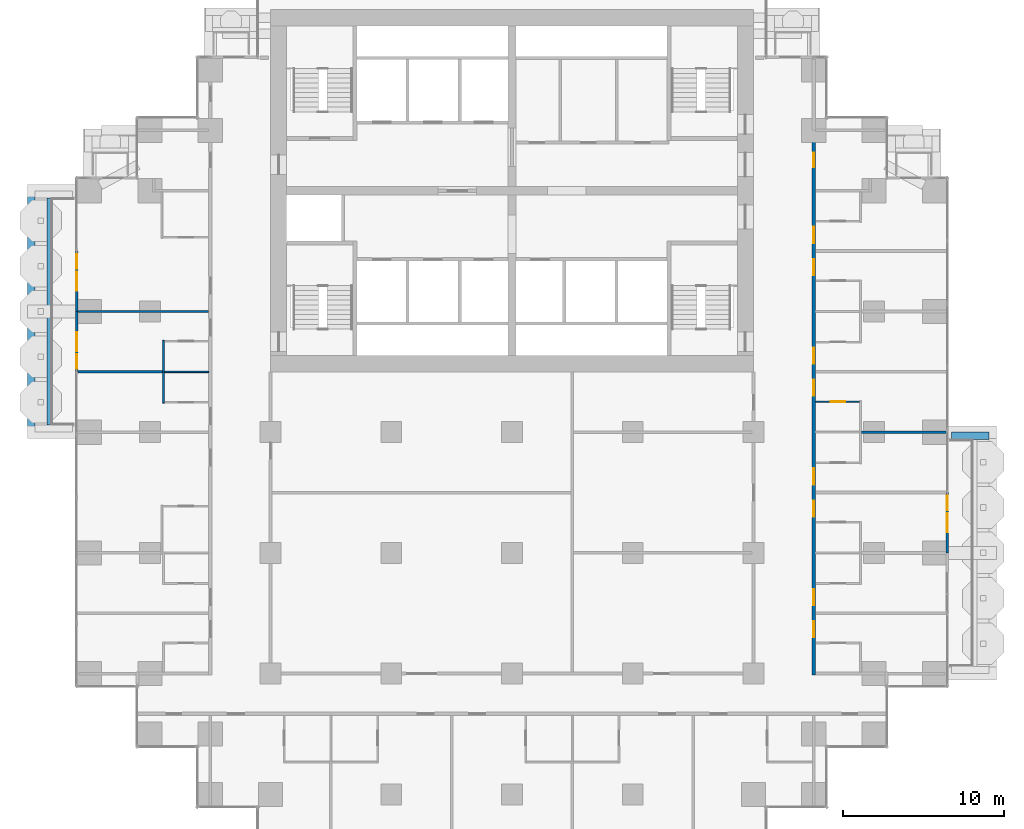
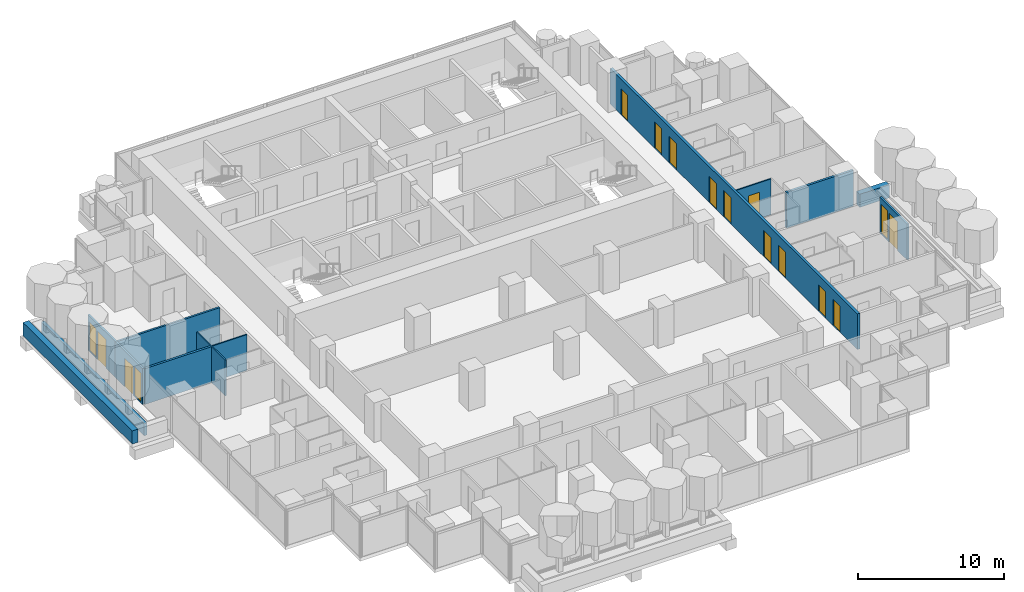
# One storey, part 12 of 18: 13 doors, 13 walls, 3 windows, 16 openings.
"""IFC4 building model written with IfcOpenShell, lengths in metres."""

from ifc_helpers import new_model, si_unit, direction, frame, frame_2d, origin, place, context, subcontext, project, spatial, rectangle, extrude, material, layer, layer_set, type_object, element, fill, save


model = new_model("IFC4")

# Units and contexts
model_context = context("Model", 3, precision=1e-05, world=origin(), true_north=direction((0.0, 1.0)))
body_context = subcontext(model_context, "Body", "Model", "MODEL_VIEW")
ifc_project = project(units=[si_unit("LENGTHUNIT", "METRE"), si_unit("AREAUNIT", "SQUARE_METRE"), si_unit("VOLUMEUNIT", "CUBIC_METRE"), si_unit("PLANEANGLEUNIT", "RADIAN"), si_unit("MASSUNIT", "GRAM", prefix="KILO")], contexts=[model_context])

# Site, building, storey
site_placement = place(None, origin())
site = spatial("IfcSite", under=ifc_project, at=site_placement, CompositionType="ELEMENT")
building_placement = place(site_placement, origin())
building = spatial("IfcBuilding", under=site, at=building_placement, Name="Pilkhan Gate Tower", CompositionType="ELEMENT")
storey_placement = place(building_placement, frame((0.0, 0.0, 82.39990234375)))
storey = spatial("IfcBuildingStorey", under=building, at=storey_placement, Name="L19", CompositionType="ELEMENT", Elevation=82.39990234375)

# Walls
ifc_material_1 = material(Name="Dense blockwork", Category="masonry")
ifc_layer_1 = layer(ifc_material_1, 0.175048828125)
ifc_layer_set_1 = layer_set([ifc_layer_1], Name="Acoustic party wall PW175")
wall_type_1 = type_object("IfcWallType", Name="Acoustic party wall PW175", PredefinedType="PARTITIONING", material=ifc_layer_set_1)
wall_1_placement = place(storey_placement, frame((96.699951171875, 67.5, 0.0), z_axis=(0.0, 0.0, 1.0), x_axis=(1.0, 0.0, 0.0)))
element("IfcWall", 1, at=wall_1_placement, inside=storey, type_object=wall_type_1, Name="Partition L19", PredefinedType="PARTITIONING", context=body_context, shape_type="SweptSolid", body=[
    extrude(rectangle(XDim=5.31494140625, YDim=0.175048828125, at=frame_2d((2.657470703125, 0.0))), origin(), (0.0, 0.0, 1.0), 3.0),
])
wall_2_placement = place(storey_placement, frame((48.0400390625, 71.25, 0.0), z_axis=(0.0, 0.0, 1.0), x_axis=(1.0, 0.0, 0.0)))
element("IfcWall", 2, at=wall_2_placement, inside=storey, type_object=wall_type_1, Name="Partition L19", PredefinedType="PARTITIONING", context=body_context, shape_type="SweptSolid", body=[
    extrude(rectangle(XDim=5.260009765625, YDim=0.175048828125, at=frame_2d((2.6298828125, 0.0))), origin(), (0.0, 0.0, 1.0), 3.0),
])
ifc_material_2 = material(Name="Concrete C40/50", Category="concrete")
ifc_layer_2 = layer(ifc_material_2, 0.25)
ifc_layer_set_2 = layer_set([ifc_layer_2], Name="Balcony planter BP250")
wall_type_2 = type_object("IfcWallType", Name="Balcony planter BP250", PredefinedType="USERDEFINED", material=ifc_layer_set_2)
wall_3_placement = place(storey_placement, frame((46.22509765625, 67.949951171875, 0.0), z_axis=(0.0, 0.0, 1.0), x_axis=(0.0, 1.0, 0.0)))
element("IfcWall", 3, at=wall_3_placement, inside=storey, type_object=wall_type_2, Name="Balcony planter L19 W", ObjectType="BALCONY PLANTER", PredefinedType="USERDEFINED", context=body_context, shape_type="SweptSolid", body=[
    extrude(rectangle(XDim=14.10009765625, YDim=0.25, at=frame_2d((7.050048828125, 0.0))), origin(), (0.0, 0.0, 1.0), 1.0),
])
ifc_material_3 = material(Name="Board-marked Concrete C40/50", Category="concrete")
ifc_layer_3 = layer(ifc_material_3, 0.449951171875)
ifc_layer_set_3 = layer_set([ifc_layer_3], Name="Balcony planter lip BL450")
wall_type_3 = type_object("IfcWallType", Name="Balcony planter lip BL450", PredefinedType="USERDEFINED", material=ifc_layer_set_3)
wall_4_placement = place(storey_placement, frame((102.300048828125, 67.27490234375, 0.0), z_axis=(0.0, 0.0, 1.0), x_axis=(1.0, 0.0, 0.0)))
element("IfcWall", 4, at=wall_4_placement, inside=storey, type_object=wall_type_3, Name="Balcony planter L19 E", ObjectType="BALCONY PLANTER", PredefinedType="USERDEFINED", context=body_context, shape_type="SweptSolid", body=[
    extrude(rectangle(XDim=2.349853515625, YDim=0.449951171875, at=frame_2d((1.1748046875, 0.0))), origin(), (0.0, 0.0, 1.0), 1.10009765625),
])
wall_5_placement = place(storey_placement, frame((45.125, 67.5, 0.0), z_axis=(0.0, 0.0, 1.0), x_axis=(0.0, 1.0, 0.0)))
element("IfcWall", 5, at=wall_5_placement, inside=storey, type_object=wall_type_3, Name="Balcony planter L19 W", ObjectType="BALCONY PLANTER", PredefinedType="USERDEFINED", context=body_context, shape_type="SweptSolid", body=[
    extrude(rectangle(XDim=15.0, YDim=0.449951171875, at=frame_2d((7.5, 0.0))), origin(), (0.0, 0.0, 1.0), 1.10009765625),
])

# Wall, openings, doors
ifc_layer_4 = layer(ifc_material_1, 0.199951171875)
ifc_layer_set_4 = layer_set([ifc_layer_4], Name="Corridor wall FW200")
wall_type_4 = type_object("IfcWallType", Name="Corridor wall FW200", PredefinedType="PARTITIONING", material=ifc_layer_set_4)
wall_6_placement = place(storey_placement, frame((93.75, 52.39990234375, 0.0), z_axis=(0.0, 0.0, 1.0), x_axis=(0.0, 1.0, 0.0)))
wall_6 = element("IfcWall", 6, at=wall_6_placement, inside=storey, type_object=wall_type_4, Name="Partition L19", PredefinedType="PARTITIONING", context=body_context, shape_type="SweptSolid", body=[
    extrude(rectangle(XDim=33.925048828125, YDim=0.199951171875, at=frame_2d((16.96240234375, 0.0))), origin(), (0.0, 0.0, 1.0), 3.0),
])
opening_1_placement = place(wall_6_placement, frame((2.35009765625, 0.0, 0.0)))
opening_1 = element("IfcOpeningElement", 7, at=opening_1_placement, cuts=wall_6, Name="Opening L19-28", PredefinedType="OPENING", context=body_context, shape_type="SweptSolid", body=[
    extrude(rectangle(XDim=1.0, YDim=2.199951171875, at=frame_2d((0.5, 1.10009765625))), frame((0.0, 0.10986328125, 0.0), z_axis=(0.0, -1.0, 0.0), x_axis=(1.0, 0.0, 0.0)), (0.0, 0.0, 1.0), 0.219970703125),
])
opening_2_placement = place(wall_6_placement, frame((4.35009765625, 0.0, 0.0)))
opening_2 = element("IfcOpeningElement", 8, at=opening_2_placement, cuts=wall_6, Name="Opening L19-30", PredefinedType="OPENING", context=body_context, shape_type="SweptSolid", body=[
    extrude(rectangle(XDim=1.0, YDim=2.199951171875, at=frame_2d((0.5, 1.10009765625))), frame((0.0, 0.10986328125, 0.0), z_axis=(0.0, -1.0, 0.0), x_axis=(1.0, 0.0, 0.0)), (0.0, 0.0, 1.0), 0.219970703125),
])
opening_3_placement = place(wall_6_placement, frame((9.85009765625, 0.0, 0.0)))
opening_3 = element("IfcOpeningElement", 9, at=opening_3_placement, cuts=wall_6, Name="Opening L19-32", PredefinedType="OPENING", context=body_context, shape_type="SweptSolid", body=[
    extrude(rectangle(XDim=1.0, YDim=2.199951171875, at=frame_2d((0.5, 1.10009765625))), frame((0.0, 0.10986328125, 0.0), z_axis=(0.0, -1.0, 0.0), x_axis=(1.0, 0.0, 0.0)), (0.0, 0.0, 1.0), 0.219970703125),
])
opening_4_placement = place(wall_6_placement, frame((11.85009765625, 0.0, 0.0)))
opening_4 = element("IfcOpeningElement", 10, at=opening_4_placement, cuts=wall_6, Name="Opening L19-34", PredefinedType="OPENING", context=body_context, shape_type="SweptSolid", body=[
    extrude(rectangle(XDim=1.0, YDim=2.199951171875, at=frame_2d((0.5, 1.10009765625))), frame((0.0, 0.10986328125, 0.0), z_axis=(0.0, -1.0, 0.0), x_axis=(1.0, 0.0, 0.0)), (0.0, 0.0, 1.0), 0.219970703125),
])
opening_5_placement = place(wall_6_placement, frame((17.35009765625, 0.0, 0.0)))
opening_5 = element("IfcOpeningElement", 11, at=opening_5_placement, cuts=wall_6, Name="Opening L19-36", PredefinedType="OPENING", context=body_context, shape_type="SweptSolid", body=[
    extrude(rectangle(XDim=1.0, YDim=2.199951171875, at=frame_2d((0.5, 1.10009765625))), frame((0.0, 0.10986328125, 0.0), z_axis=(0.0, -1.0, 0.0), x_axis=(1.0, 0.0, 0.0)), (0.0, 0.0, 1.0), 0.219970703125),
])
opening_6_placement = place(wall_6_placement, frame((19.35009765625, 0.0, 0.0)))
opening_6 = element("IfcOpeningElement", 12, at=opening_6_placement, cuts=wall_6, Name="Opening L19-38", PredefinedType="OPENING", context=body_context, shape_type="SweptSolid", body=[
    extrude(rectangle(XDim=1.0, YDim=2.199951171875, at=frame_2d((0.5, 1.10009765625))), frame((0.0, 0.10986328125, 0.0), z_axis=(0.0, -1.0, 0.0), x_axis=(1.0, 0.0, 0.0)), (0.0, 0.0, 1.0), 0.219970703125),
])
opening_7_placement = place(wall_6_placement, frame((24.85009765625, 0.0, 0.0)))
opening_7 = element("IfcOpeningElement", 13, at=opening_7_placement, cuts=wall_6, Name="Opening L19-40", PredefinedType="OPENING", context=body_context, shape_type="SweptSolid", body=[
    extrude(rectangle(XDim=1.0, YDim=2.199951171875, at=frame_2d((0.5, 1.10009765625))), frame((0.0, 0.10986328125, 0.0), z_axis=(0.0, -1.0, 0.0), x_axis=(1.0, 0.0, 0.0)), (0.0, 0.0, 1.0), 0.219970703125),
])
opening_8_placement = place(wall_6_placement, frame((26.85009765625, 0.0, 0.0)))
opening_8 = element("IfcOpeningElement", 14, at=opening_8_placement, cuts=wall_6, Name="Opening L19-42", PredefinedType="OPENING", context=body_context, shape_type="SweptSolid", body=[
    extrude(rectangle(XDim=1.0, YDim=2.199951171875, at=frame_2d((0.5, 1.10009765625))), frame((0.0, 0.10986328125, 0.0), z_axis=(0.0, -1.0, 0.0), x_axis=(1.0, 0.0, 0.0)), (0.0, 0.0, 1.0), 0.219970703125),
])
opening_9_placement = place(wall_6_placement, frame((31.550048828125, 0.0, 0.0)))
opening_9 = element("IfcOpeningElement", 15, at=opening_9_placement, cuts=wall_6, Name="Opening L19-54", PredefinedType="OPENING", context=body_context, shape_type="SweptSolid", body=[
    extrude(rectangle(XDim=0.89990234375, YDim=2.199951171875, at=frame_2d((0.449951171875, 1.10009765625))), frame((0.0, 0.10986328125, 0.0), z_axis=(0.0, -1.0, 0.0), x_axis=(1.0, 0.0, 0.0)), (0.0, 0.0, 1.0), 0.219970703125),
])
ifc_material_4 = material(Name="Timber flush door, 30 minute fire resisting", Category="wood")
door_type_1 = type_object("IfcDoorType", Name="Guest room door D01 1000x2200", OperationType="SINGLE_SWING_LEFT", PredefinedType="DOOR", material=ifc_material_4)
door_1_placement = place(opening_1_placement, origin())
door_1 = element("IfcDoor", 16, at=door_1_placement, inside=storey, type_object=door_type_1, Name="Guest room door", OperationType="SINGLE_SWING_LEFT", OverallHeight=2.199951171875, OverallWidth=1.0, PredefinedType="DOOR", context=body_context, shape_type="SweptSolid", body=[
    extrude(rectangle(XDim=1.0, YDim=2.199951171875, at=frame_2d((0.5, 1.10009765625))), frame((0.0, 0.02490234375, 0.0), z_axis=(0.0, -1.0, 0.0), x_axis=(1.0, 0.0, 0.0)), (0.0, 0.0, 1.0), 0.050048828125),
])
fill(opening_1, door_1)
door_2_placement = place(opening_2_placement, origin())
door_2 = element("IfcDoor", 17, at=door_2_placement, inside=storey, type_object=door_type_1, Name="Guest room door", OperationType="SINGLE_SWING_LEFT", OverallHeight=2.199951171875, OverallWidth=1.0, PredefinedType="DOOR", context=body_context, shape_type="SweptSolid", body=[
    extrude(rectangle(XDim=1.0, YDim=2.199951171875, at=frame_2d((0.5, 1.10009765625))), frame((0.0, 0.02490234375, 0.0), z_axis=(0.0, -1.0, 0.0), x_axis=(1.0, 0.0, 0.0)), (0.0, 0.0, 1.0), 0.050048828125),
])
fill(opening_2, door_2)
door_3_placement = place(opening_3_placement, origin())
door_3 = element("IfcDoor", 18, at=door_3_placement, inside=storey, type_object=door_type_1, Name="Guest room door", OperationType="SINGLE_SWING_LEFT", OverallHeight=2.199951171875, OverallWidth=1.0, PredefinedType="DOOR", context=body_context, shape_type="SweptSolid", body=[
    extrude(rectangle(XDim=1.0, YDim=2.199951171875, at=frame_2d((0.5, 1.10009765625))), frame((0.0, 0.02490234375, 0.0), z_axis=(0.0, -1.0, 0.0), x_axis=(1.0, 0.0, 0.0)), (0.0, 0.0, 1.0), 0.050048828125),
])
fill(opening_3, door_3)
door_4_placement = place(opening_4_placement, origin())
door_4 = element("IfcDoor", 19, at=door_4_placement, inside=storey, type_object=door_type_1, Name="Guest room door", OperationType="SINGLE_SWING_LEFT", OverallHeight=2.199951171875, OverallWidth=1.0, PredefinedType="DOOR", context=body_context, shape_type="SweptSolid", body=[
    extrude(rectangle(XDim=1.0, YDim=2.199951171875, at=frame_2d((0.5, 1.10009765625))), frame((0.0, 0.02490234375, 0.0), z_axis=(0.0, -1.0, 0.0), x_axis=(1.0, 0.0, 0.0)), (0.0, 0.0, 1.0), 0.050048828125),
])
fill(opening_4, door_4)
door_5_placement = place(opening_5_placement, origin())
door_5 = element("IfcDoor", 20, at=door_5_placement, inside=storey, type_object=door_type_1, Name="Guest room door", OperationType="SINGLE_SWING_LEFT", OverallHeight=2.199951171875, OverallWidth=1.0, PredefinedType="DOOR", context=body_context, shape_type="SweptSolid", body=[
    extrude(rectangle(XDim=1.0, YDim=2.199951171875, at=frame_2d((0.5, 1.10009765625))), frame((0.0, 0.02490234375, 0.0), z_axis=(0.0, -1.0, 0.0), x_axis=(1.0, 0.0, 0.0)), (0.0, 0.0, 1.0), 0.050048828125),
])
fill(opening_5, door_5)
door_6_placement = place(opening_6_placement, origin())
door_6 = element("IfcDoor", 21, at=door_6_placement, inside=storey, type_object=door_type_1, Name="Guest room door", OperationType="SINGLE_SWING_RIGHT", OverallHeight=2.199951171875, OverallWidth=1.0, PredefinedType="DOOR", context=body_context, shape_type="SweptSolid", body=[
    extrude(rectangle(XDim=1.0, YDim=2.199951171875, at=frame_2d((0.5, 1.10009765625))), frame((0.0, 0.02490234375, 0.0), z_axis=(0.0, -1.0, 0.0), x_axis=(1.0, 0.0, 0.0)), (0.0, 0.0, 1.0), 0.050048828125),
])
fill(opening_6, door_6)
door_7_placement = place(opening_7_placement, origin())
door_7 = element("IfcDoor", 22, at=door_7_placement, inside=storey, type_object=door_type_1, Name="Guest room door", OperationType="SINGLE_SWING_LEFT", OverallHeight=2.199951171875, OverallWidth=1.0, PredefinedType="DOOR", context=body_context, shape_type="SweptSolid", body=[
    extrude(rectangle(XDim=1.0, YDim=2.199951171875, at=frame_2d((0.5, 1.10009765625))), frame((0.0, 0.02490234375, 0.0), z_axis=(0.0, -1.0, 0.0), x_axis=(1.0, 0.0, 0.0)), (0.0, 0.0, 1.0), 0.050048828125),
])
fill(opening_7, door_7)
door_8_placement = place(opening_8_placement, origin())
door_8 = element("IfcDoor", 23, at=door_8_placement, inside=storey, type_object=door_type_1, Name="Guest room door", OperationType="SINGLE_SWING_LEFT", OverallHeight=2.199951171875, OverallWidth=1.0, PredefinedType="DOOR", context=body_context, shape_type="SweptSolid", body=[
    extrude(rectangle(XDim=1.0, YDim=2.199951171875, at=frame_2d((0.5, 1.10009765625))), frame((0.0, 0.02490234375, 0.0), z_axis=(0.0, -1.0, 0.0), x_axis=(1.0, 0.0, 0.0)), (0.0, 0.0, 1.0), 0.050048828125),
])
fill(opening_8, door_8)
ifc_material_5 = material(Name="Timber flush door, 60 minute fire resisting, self-closing", Category="wood")
door_type_2 = type_object("IfcDoorType", Name="Store door D05 900x2200", OperationType="SINGLE_SWING_LEFT", PredefinedType="DOOR", material=ifc_material_5)
door_9_placement = place(opening_9_placement, origin())
door_9 = element("IfcDoor", 24, at=door_9_placement, inside=storey, type_object=door_type_2, Name="Store door", OperationType="SINGLE_SWING_RIGHT", OverallHeight=2.199951171875, OverallWidth=0.89990234375, PredefinedType="DOOR", context=body_context, shape_type="SweptSolid", body=[
    extrude(rectangle(XDim=0.89990234375, YDim=2.199951171875, at=frame_2d((0.449951171875, 1.10009765625))), frame((0.0, 0.02490234375, 0.0), z_axis=(0.0, -1.0, 0.0), x_axis=(1.0, 0.0, 0.0)), (0.0, 0.0, 1.0), 0.050048828125),
])
fill(opening_9, door_9)

# Wall, openings, door, window
ifc_material_6 = material(Name="Pale anodised aluminium, clear laminated glazing", Category="aluminium")
ifc_layer_5 = layer(ifc_material_6, 0.14990234375)
ifc_layer_set_5 = layer_set([ifc_layer_5], Name="Facade infill wall IW150")
wall_type_5 = type_object("IfcWallType", Name="Facade infill wall IW150", PredefinedType="SOLIDWALL", material=ifc_layer_set_5)
wall_7_placement = place(storey_placement, frame((102.044921875, 60.0, 0.0), z_axis=(0.0, 0.0, 1.0), x_axis=(0.0, 1.0, 0.0)))
wall_7 = element("IfcWall", 25, at=wall_7_placement, inside=storey, type_object=wall_type_5, Name="Infill wall L19 E", PredefinedType="SOLIDWALL", context=body_context, shape_type="SweptSolid", body=[
    extrude(rectangle(XDim=3.75, YDim=0.14990234375, at=frame_2d((1.875, 0.0))), origin(), (0.0, 0.0, 1.0), 3.0),
])
opening_10_placement = place(wall_7_placement, frame((1.27490234375, 0.0, 0.0)))
opening_10 = element("IfcOpeningElement", 26, at=opening_10_placement, cuts=wall_7, Name="Opening D1", PredefinedType="OPENING", context=body_context, shape_type="SweptSolid", body=[
    extrude(rectangle(XDim=1.199951171875, YDim=2.39990234375, at=frame_2d((0.60009765625, 1.199951171875))), frame((0.0, 0.0849609375, 0.0), z_axis=(0.0, -1.0, 0.0), x_axis=(1.0, 0.0, 0.0)), (0.0, 0.0, 1.0), 0.169921875),
])
opening_11_placement = place(wall_7_placement, frame((2.66259765625, 0.0, 0.10009765625)))
opening_11 = element("IfcOpeningElement", 27, at=opening_11_placement, cuts=wall_7, Name="Opening W1", PredefinedType="OPENING", context=body_context, shape_type="SweptSolid", body=[
    extrude(rectangle(XDim=0.89990234375, YDim=2.39990234375, at=frame_2d((0.449951171875, 1.199951171875))), frame((0.0, 0.0849609375, 0.0), z_axis=(0.0, -1.0, 0.0), x_axis=(1.0, 0.0, 0.0)), (0.0, 0.0, 1.0), 0.169921875),
])
ifc_material_7 = material(Name="Pale anodised aluminium, clear glazing", Category="aluminium")
door_type_3 = type_object("IfcDoorType", Name="Balcony door D1 1200x2400", OperationType="SINGLE_SWING_LEFT", PredefinedType="DOOR", material=ifc_material_7)
door_10_placement = place(opening_10_placement, origin())
door_10 = element("IfcDoor", 28, at=door_10_placement, inside=storey, type_object=door_type_3, Name="Balcony door L19", OperationType="SINGLE_SWING_LEFT", OverallHeight=2.39990234375, OverallWidth=1.199951171875, PredefinedType="DOOR", context=body_context, shape_type="SweptSolid", body=[
    extrude(rectangle(XDim=1.199951171875, YDim=2.39990234375, at=frame_2d((0.60009765625, 1.199951171875))), frame((0.0, 0.02490234375, 0.0), z_axis=(0.0, -1.0, 0.0), x_axis=(1.0, 0.0, 0.0)), (0.0, 0.0, 1.0), 0.050048828125),
])
fill(opening_10, door_10)
ifc_material_8 = material(Name="Pale anodised aluminium, clear double glazing", Category="aluminium")
window_type = type_object("IfcWindowType", Name="Window W1 900x2400", PartitioningType="SINGLE_PANEL", PredefinedType="WINDOW", material=ifc_material_8)
window_1_placement = place(opening_11_placement, origin())
window_1 = element("IfcWindow", 29, at=window_1_placement, inside=storey, type_object=window_type, Name="Window L19", OverallHeight=2.39990234375, OverallWidth=0.89990234375, PartitioningType="SINGLE_PANEL", PredefinedType="WINDOW", context=body_context, shape_type="SweptSolid", body=[
    extrude(rectangle(XDim=0.89990234375, YDim=2.39990234375, at=frame_2d((0.449951171875, 1.199951171875))), frame((0.0, 0.030029296875, 0.0), z_axis=(0.0, -1.0, 0.0), x_axis=(1.0, 0.0, 0.0)), (0.0, 0.0, 1.0), 0.06005859375),
])
fill(opening_11, window_1)

wall_8_placement = place(storey_placement, frame((47.955078125, 71.25, 0.0), z_axis=(0.0, 0.0, 1.0), x_axis=(0.0, 1.0, 0.0)))
wall_8 = element("IfcWall", 30, at=wall_8_placement, inside=storey, type_object=wall_type_5, Name="Infill wall L19 W", PredefinedType="SOLIDWALL", context=body_context, shape_type="SweptSolid", body=[
    extrude(rectangle(XDim=3.75, YDim=0.14990234375, at=frame_2d((1.875, 0.0))), origin(), (0.0, 0.0, 1.0), 3.0),
])
opening_12_placement = place(wall_8_placement, frame((0.1875, 0.0, 0.10009765625)))
opening_12 = element("IfcOpeningElement", 31, at=opening_12_placement, cuts=wall_8, Name="Opening W1", PredefinedType="OPENING", context=body_context, shape_type="SweptSolid", body=[
    extrude(rectangle(XDim=0.89990234375, YDim=2.39990234375, at=frame_2d((0.449951171875, 1.199951171875))), frame((0.0, 0.0849609375, 0.0), z_axis=(0.0, -1.0, 0.0), x_axis=(1.0, 0.0, 0.0)), (0.0, 0.0, 1.0), 0.169921875),
])
opening_13_placement = place(wall_8_placement, frame((1.27490234375, 0.0, 0.0)))
opening_13 = element("IfcOpeningElement", 32, at=opening_13_placement, cuts=wall_8, Name="Opening D1", PredefinedType="OPENING", context=body_context, shape_type="SweptSolid", body=[
    extrude(rectangle(XDim=1.199951171875, YDim=2.39990234375, at=frame_2d((0.60009765625, 1.199951171875))), frame((0.0, 0.0849609375, 0.0), z_axis=(0.0, -1.0, 0.0), x_axis=(1.0, 0.0, 0.0)), (0.0, 0.0, 1.0), 0.169921875),
])
door_11_placement = place(opening_13_placement, origin())
door_11 = element("IfcDoor", 33, at=door_11_placement, inside=storey, type_object=door_type_3, Name="Balcony door L19", OperationType="SINGLE_SWING_LEFT", OverallHeight=2.39990234375, OverallWidth=1.199951171875, PredefinedType="DOOR", context=body_context, shape_type="SweptSolid", body=[
    extrude(rectangle(XDim=1.199951171875, YDim=2.39990234375, at=frame_2d((0.60009765625, 1.199951171875))), frame((0.0, 0.02490234375, 0.0), z_axis=(0.0, -1.0, 0.0), x_axis=(1.0, 0.0, 0.0)), (0.0, 0.0, 1.0), 0.050048828125),
])
fill(opening_13, door_11)
window_2_placement = place(opening_12_placement, origin())
window_2 = element("IfcWindow", 34, at=window_2_placement, inside=storey, type_object=window_type, Name="Window L19", OverallHeight=2.39990234375, OverallWidth=0.89990234375, PartitioningType="SINGLE_PANEL", PredefinedType="WINDOW", context=body_context, shape_type="SweptSolid", body=[
    extrude(rectangle(XDim=0.89990234375, YDim=2.39990234375, at=frame_2d((0.449951171875, 1.199951171875))), frame((0.0, 0.030029296875, 0.0), z_axis=(0.0, -1.0, 0.0), x_axis=(1.0, 0.0, 0.0)), (0.0, 0.0, 1.0), 0.06005859375),
])
fill(opening_12, window_2)

wall_9_placement = place(storey_placement, frame((47.955078125, 75.0, 0.0), z_axis=(0.0, 0.0, 1.0), x_axis=(0.0, 1.0, 0.0)))
wall_9 = element("IfcWall", 35, at=wall_9_placement, inside=storey, type_object=wall_type_5, Name="Infill wall L19 W", PredefinedType="SOLIDWALL", context=body_context, shape_type="SweptSolid", body=[
    extrude(rectangle(XDim=3.75, YDim=0.14990234375, at=frame_2d((1.875, 0.0))), origin(), (0.0, 0.0, 1.0), 3.0),
])
opening_14_placement = place(wall_9_placement, frame((1.27490234375, 0.0, 0.0)))
opening_14 = element("IfcOpeningElement", 36, at=opening_14_placement, cuts=wall_9, Name="Opening D1", PredefinedType="OPENING", context=body_context, shape_type="SweptSolid", body=[
    extrude(rectangle(XDim=1.199951171875, YDim=2.39990234375, at=frame_2d((0.60009765625, 1.199951171875))), frame((0.0, 0.0849609375, 0.0), z_axis=(0.0, -1.0, 0.0), x_axis=(1.0, 0.0, 0.0)), (0.0, 0.0, 1.0), 0.169921875),
])
opening_15_placement = place(wall_9_placement, frame((2.66259765625, 0.0, 0.10009765625)))
opening_15 = element("IfcOpeningElement", 37, at=opening_15_placement, cuts=wall_9, Name="Opening W1", PredefinedType="OPENING", context=body_context, shape_type="SweptSolid", body=[
    extrude(rectangle(XDim=0.89990234375, YDim=2.39990234375, at=frame_2d((0.449951171875, 1.199951171875))), frame((0.0, 0.0849609375, 0.0), z_axis=(0.0, -1.0, 0.0), x_axis=(1.0, 0.0, 0.0)), (0.0, 0.0, 1.0), 0.169921875),
])
door_12_placement = place(opening_14_placement, origin())
door_12 = element("IfcDoor", 38, at=door_12_placement, inside=storey, type_object=door_type_3, Name="Balcony door L19", OperationType="SINGLE_SWING_LEFT", OverallHeight=2.39990234375, OverallWidth=1.199951171875, PredefinedType="DOOR", context=body_context, shape_type="SweptSolid", body=[
    extrude(rectangle(XDim=1.199951171875, YDim=2.39990234375, at=frame_2d((0.60009765625, 1.199951171875))), frame((0.0, 0.02490234375, 0.0), z_axis=(0.0, -1.0, 0.0), x_axis=(1.0, 0.0, 0.0)), (0.0, 0.0, 1.0), 0.050048828125),
])
fill(opening_14, door_12)
window_3_placement = place(opening_15_placement, origin())
window_3 = element("IfcWindow", 39, at=window_3_placement, inside=storey, type_object=window_type, Name="Window L19", OverallHeight=2.39990234375, OverallWidth=0.89990234375, PartitioningType="SINGLE_PANEL", PredefinedType="WINDOW", context=body_context, shape_type="SweptSolid", body=[
    extrude(rectangle(XDim=0.89990234375, YDim=2.39990234375, at=frame_2d((0.449951171875, 1.199951171875))), frame((0.0, 0.030029296875, 0.0), z_axis=(0.0, -1.0, 0.0), x_axis=(1.0, 0.0, 0.0)), (0.0, 0.0, 1.0), 0.06005859375),
])
fill(opening_15, window_3)

# Wall
ifc_material_9 = material(Name="Blockwork partition, plastered both sides", Category="masonry")
ifc_layer_6 = layer(ifc_material_9, 0.14990234375)
ifc_layer_set_6 = layer_set([ifc_layer_6], Name="Partition PW150")
wall_type_6 = type_object("IfcWallType", Name="Partition PW150", PredefinedType="PARTITIONING", material=ifc_layer_set_6)
wall_10_placement = place(storey_placement, frame((48.0400390625, 75.0, 0.0), z_axis=(0.0, 0.0, 1.0), x_axis=(1.0, 0.0, 0.0)))
element("IfcWall", 40, at=wall_10_placement, inside=storey, type_object=wall_type_6, Name="Partition L19", PredefinedType="PARTITIONING", context=body_context, shape_type="SweptSolid", body=[
    extrude(rectangle(XDim=8.10986328125, YDim=0.14990234375, at=frame_2d((4.054931640625, 0.0))), origin(), (0.0, 0.0, 1.0), 3.0),
])

# Wall, opening, door
ifc_material_10 = material(Name="Moisture resistant board, tiled")
ifc_layer_7 = layer(ifc_material_10, 0.10009765625)
ifc_layer_set_7 = layer_set([ifc_layer_7], Name="Wet wall PW100")
wall_type_7 = type_object("IfcWallType", Name="Wet wall PW100", PredefinedType="PARTITIONING", material=ifc_layer_set_7)
wall_11_placement = place(storey_placement, frame((93.85009765625, 69.39990234375, 0.0), z_axis=(0.0, 0.0, 1.0), x_axis=(1.0, 0.0, 0.0)))
wall_11 = element("IfcWall", 41, at=wall_11_placement, inside=storey, type_object=wall_type_7, Name="Partition L19", PredefinedType="PARTITIONING", context=body_context, shape_type="SweptSolid", body=[
    extrude(rectangle(XDim=2.75, YDim=0.10009765625, at=frame_2d((1.375, 0.0))), origin(), (0.0, 0.0, 1.0), 3.0),
])
opening_16_placement = place(wall_11_placement, frame((0.949951171875, 0.0, 0.0)))
opening_16 = element("IfcOpeningElement", 42, at=opening_16_placement, cuts=wall_11, Name="Opening L19-37", PredefinedType="OPENING", context=body_context, shape_type="SweptSolid", body=[
    extrude(rectangle(XDim=0.89990234375, YDim=2.199951171875, at=frame_2d((0.449951171875, 1.10009765625))), frame((0.0, 0.06005859375, 0.0), z_axis=(0.0, -1.0, 0.0), x_axis=(1.0, 0.0, 0.0)), (0.0, 0.0, 1.0), 0.1201171875),
])
ifc_material_11 = material(Name="Timber flush door", Category="wood")
door_type_4 = type_object("IfcDoorType", Name="Bathroom door D02 900x2200", OperationType="SINGLE_SWING_RIGHT", PredefinedType="DOOR", material=ifc_material_11)
door_13_placement = place(opening_16_placement, origin())
door_13 = element("IfcDoor", 43, at=door_13_placement, inside=storey, type_object=door_type_4, Name="Bathroom door", OperationType="SINGLE_SWING_RIGHT", OverallHeight=2.199951171875, OverallWidth=0.89990234375, PredefinedType="DOOR", context=body_context, shape_type="SweptSolid", body=[
    extrude(rectangle(XDim=0.89990234375, YDim=2.199951171875, at=frame_2d((0.449951171875, 1.10009765625))), frame((0.0, 0.02490234375, 0.0), z_axis=(0.0, -1.0, 0.0), x_axis=(1.0, 0.0, 0.0)), (0.0, 0.0, 1.0), 0.050048828125),
])
fill(opening_16, door_13)

# Walls
wall_12_placement = place(storey_placement, frame((53.39990234375, 71.25, 0.0), z_axis=(0.0, 0.0, 1.0), x_axis=(1.0, 0.0, 0.0)))
element("IfcWall", 44, at=wall_12_placement, inside=storey, type_object=wall_type_7, Name="Partition L19", PredefinedType="PARTITIONING", context=body_context, shape_type="SweptSolid", body=[
    extrude(rectangle(XDim=2.75, YDim=0.10009765625, at=frame_2d((1.375, 0.0))), origin(), (0.0, 0.0, 1.0), 3.0),
])
wall_13_placement = place(storey_placement, frame((53.35009765625, 69.300048828125, 0.0), z_axis=(0.0, 0.0, 1.0), x_axis=(0.0, 1.0, 0.0)))
element("IfcWall", 45, at=wall_13_placement, inside=storey, type_object=wall_type_7, Name="Partition L19", PredefinedType="PARTITIONING", context=body_context, shape_type="SweptSolid", body=[
    extrude(rectangle(XDim=3.89990234375, YDim=0.10009765625, at=frame_2d((1.949951171875, 0.0))), origin(), (0.0, 0.0, 1.0), 3.0),
])

save(model, "model.ifc")
